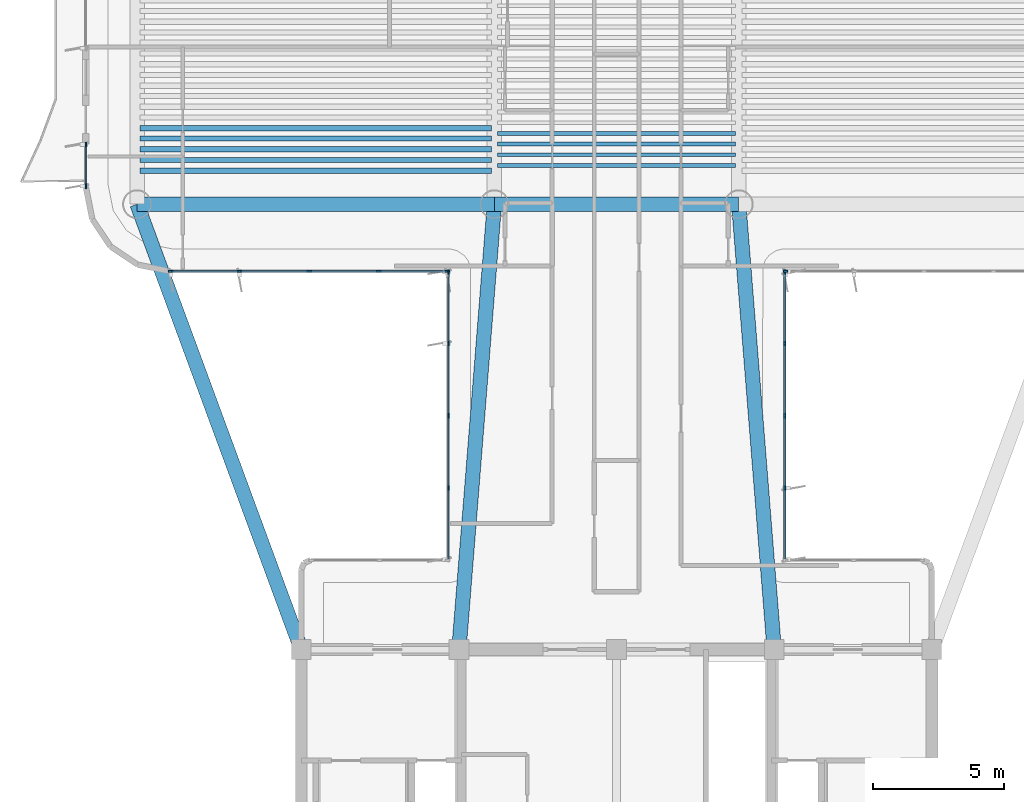
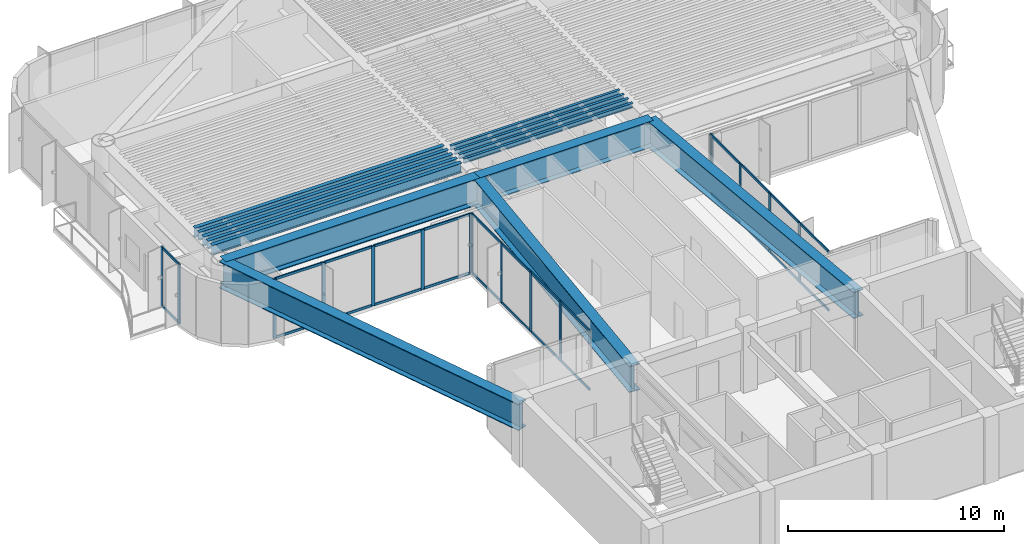
# One storey, part 3 of 13: 42 members, 14 beams, 5 elements without a shape of their own.
"""IFC4 building model written with IfcOpenShell, lengths in metres."""

from ifc_helpers import new_model, si_unit, direction, frame, origin, origin_2d, place, context, subcontext, project, spatial, rectangle, i_section, extrude, source, transform, mapped, material, layer, layer_set, material_profile, profile_set, type_object, element, aggregate, save


model = new_model("IFC4")

# Units and contexts
model_context = context("Model", 3, precision=1e-05, world=origin(), true_north=direction((0.0, 1.0)))
body_context = subcontext(model_context, "Body", "Model", "MODEL_VIEW")
ifc_project = project(units=[si_unit("LENGTHUNIT", "METRE"), si_unit("AREAUNIT", "SQUARE_METRE"), si_unit("VOLUMEUNIT", "CUBIC_METRE"), si_unit("PLANEANGLEUNIT", "RADIAN"), si_unit("MASSUNIT", "GRAM", prefix="KILO")], contexts=[model_context])

# Site, building, storey
site_placement = place(None, origin())
site = spatial("IfcSite", under=ifc_project, at=site_placement, CompositionType="ELEMENT")
building_placement = place(site_placement, origin())
building = spatial("IfcBuilding", under=site, at=building_placement, Name="Brelvock Crest Care Tower", CompositionType="ELEMENT")
storey_placement = place(building_placement, frame((0.0, 0.0, 209.340087890625)))
storey = spatial("IfcBuildingStorey", under=building, at=storey_placement, Name="L53", CompositionType="ELEMENT", Elevation=209.340087890625)

# Beams
ifc_material_1 = material(Name="Steel Grade 350", Category="steel")
ifc_material_profile_1 = material_profile(ifc_material_1, i_section(OverallWidth=0.14599609375, OverallDepth=0.256103515625, WebThickness=0.00634765625, FlangeThickness=0.010986328125, FilletRadius=0.0087890625, at=origin_2d()), Name="250UB37.3")
ifc_profile_set_1 = profile_set([ifc_material_profile_1], Name="Steel Grade 350")
beam_type_1 = type_object("IfcBeamType", Name="BM-J3", PredefinedType="JOIST", material=ifc_profile_set_1)
shared_shape_1 = source(origin(), body_context, "Body", "SweptSolid", [
    extrude(i_section(OverallWidth=0.14599609375, OverallDepth=0.256103515625, WebThickness=0.00634765625, FlangeThickness=0.010986328125, FilletRadius=0.0087890625, at=origin_2d()), origin(), (0.0, 0.0, 1.0), 9.06982421875),
])
for number, where, z_axis, x_axis, name in (
    (1, (31.465087890625, 36.42919921875, 3.243896484375), (1.0, 0.0, 0.0), (0.0, 1.0, 0.0), "BM-JH-L53-3"),
    (2, (31.465087890625, 36.834228515625, 3.243896484375), (1.0, 0.0, 0.0), (0.0, 1.0, 0.0), "BM-JH-L53-4"),
    (3, (31.465087890625, 37.239501953125, 3.243896484375), (1.0, 0.0, 0.0), (0.0, 1.0, 0.0), "BM-JH-L53-5"),
    (4, (31.465087890625, 37.64453125, 3.243896484375), (1.0, 0.0, 0.0), (0.0, 1.0, 0.0), "BM-JH-L53-6"),
):
    element("IfcBeam", number, at=place(storey_placement, frame(where, z_axis=z_axis, x_axis=x_axis)), inside=storey, type_object=beam_type_1, Name=name, PredefinedType="JOIST", context=body_context, shape_type="MappedRepresentation", body=[
        mapped(shared_shape_1, transform((0.0, 0.0, 0.0), x_axis=(1.0, 0.0, 0.0), y_axis=(0.0, 1.0, 0.0), z_axis=(0.0, 0.0, 1.0), scale=1.0)),
    ])
ifc_material_profile_2 = material_profile(ifc_material_1, i_section(OverallWidth=0.550048828125, OverallDepth=1.5, WebThickness=0.02392578125, FlangeThickness=0.044921875, at=origin_2d()), Name="1500TG580")
ifc_profile_set_2 = profile_set([ifc_material_profile_2], Name="Steel Grade 350")
beam_type_2 = type_object("IfcBeamType", Name="BM-TG2", PredefinedType="USERDEFINED", material=ifc_profile_set_2)
shared_shape_2 = source(origin(), body_context, "Body", "SweptSolid", [
    extrude(i_section(OverallWidth=0.550048828125, OverallDepth=1.5, WebThickness=0.02392578125, FlangeThickness=0.044921875, at=origin_2d()), origin(), (0.0, 0.0, 1.0), 9.2998046875),
])
beam_1_placement = place(storey_placement, frame((31.35009765625, 34.949951171875, 2.621826171875), z_axis=(1.0, 0.0, 0.0), x_axis=(0.0, 1.0, 0.0)))
element("IfcBeam", 5, at=beam_1_placement, inside=storey, type_object=beam_type_2, Name="BM-TWR-L53-05", ObjectType="GIRDER", PredefinedType="USERDEFINED", context=body_context, shape_type="MappedRepresentation", body=[
    mapped(shared_shape_2, transform((0.0, 0.0, 0.0), x_axis=(1.0, 0.0, 0.0), y_axis=(0.0, 1.0, 0.0), z_axis=(0.0, 0.0, 1.0), scale=1.0)),
])
ifc_material_profile_3 = material_profile(ifc_material_1, i_section(OverallWidth=0.208984375, OverallDepth=0.532958984375, WebThickness=0.01025390625, FlangeThickness=0.015625, FilletRadius=0.013916015625, at=origin_2d()), Name="530UB92.4")
ifc_profile_set_3 = profile_set([ifc_material_profile_3], Name="Steel Grade 350")
beam_type_3 = type_object("IfcBeamType", Name="BM-G2", PredefinedType="BEAM", material=ifc_profile_set_3)
shared_shape_3 = source(origin(), body_context, "Body", "SweptSolid", [
    extrude(i_section(OverallWidth=0.208984375, OverallDepth=0.532958984375, WebThickness=0.01025390625, FlangeThickness=0.015625, FilletRadius=0.013916015625, at=origin_2d()), origin(), (0.0, 0.0, 1.0), 13.3701171875),
])
for number, where, z_axis, x_axis, name in (
    (6, (17.864990234375, 36.2265625, 3.10546875), (1.0, 0.0, 0.0), (0.0, 1.0, 0.0), "BM-JW-L53-3"),
    (7, (17.864990234375, 37.036865234375, 3.10546875), (1.0, 0.0, 0.0), (0.0, 1.0, 0.0), "BM-JW-L53-5"),
    (8, (17.864990234375, 37.84716796875, 3.10546875), (1.0, 0.0, 0.0), (0.0, 1.0, 0.0), "BM-JW-L53-7"),
):
    element("IfcBeam", number, at=place(storey_placement, frame(where, z_axis=z_axis, x_axis=x_axis)), inside=storey, type_object=beam_type_3, Name=name, PredefinedType="BEAM", context=body_context, shape_type="MappedRepresentation", body=[
        mapped(shared_shape_3, transform((0.0, 0.0, 0.0), x_axis=(1.0, 0.0, 0.0), y_axis=(0.0, 1.0, 0.0), z_axis=(0.0, 0.0, 1.0), scale=1.0)),
    ])
ifc_material_profile_4 = material_profile(ifc_material_1, i_section(OverallWidth=0.19091796875, OverallDepth=0.4599609375, WebThickness=0.010009765625, FlangeThickness=0.01611328125, FilletRadius=0.011474609375, at=origin_2d()), Name="460UB82.1")
ifc_profile_set_4 = profile_set([ifc_material_profile_4], Name="Steel Grade 350")
beam_type_4 = type_object("IfcBeamType", Name="BM-G3", PredefinedType="BEAM", material=ifc_profile_set_4)
shared_shape_4 = source(origin(), body_context, "Body", "SweptSolid", [
    extrude(i_section(OverallWidth=0.19091796875, OverallDepth=0.4599609375, WebThickness=0.010009765625, FlangeThickness=0.01611328125, FilletRadius=0.011474609375, at=origin_2d()), origin(), (0.0, 0.0, 1.0), 13.3701171875),
])
for number, where, z_axis, x_axis, name in (
    (9, (17.864990234375, 36.631591796875, 3.141845703125), (1.0, 0.0, 0.0), (0.0, 1.0, 0.0), "BM-JW-L53-4"),
    (10, (17.864990234375, 37.44189453125, 3.141845703125), (1.0, 0.0, 0.0), (0.0, 1.0, 0.0), "BM-JW-L53-6"),
):
    element("IfcBeam", number, at=place(storey_placement, frame(where, z_axis=z_axis, x_axis=x_axis)), inside=storey, type_object=beam_type_4, Name=name, PredefinedType="BEAM", context=body_context, shape_type="MappedRepresentation", body=[
        mapped(shared_shape_4, transform((0.0, 0.0, 0.0), x_axis=(1.0, 0.0, 0.0), y_axis=(0.0, 1.0, 0.0), z_axis=(0.0, 0.0, 1.0), scale=1.0)),
    ])
shared_shape_5 = source(origin(), body_context, "Body", "SweptSolid", [
    extrude(i_section(OverallWidth=0.550048828125, OverallDepth=1.5, WebThickness=0.02392578125, FlangeThickness=0.044921875, at=origin_2d()), origin(), (0.0, 0.0, 1.0), 13.60009765625),
])
beam_2_placement = place(storey_placement, frame((17.75, 34.949951171875, 2.621826171875), z_axis=(1.0, 0.0, 0.0), x_axis=(0.0, 1.0, 0.0)))
element("IfcBeam", 11, at=beam_2_placement, inside=storey, type_object=beam_type_2, Name="BM-TWR-L53-03", ObjectType="GIRDER", PredefinedType="USERDEFINED", context=body_context, shape_type="MappedRepresentation", body=[
    mapped(shared_shape_5, transform((0.0, 0.0, 0.0), x_axis=(1.0, 0.0, 0.0), y_axis=(0.0, 1.0, 0.0), z_axis=(0.0, 0.0, 1.0), scale=1.0)),
])
shared_shape_6 = source(origin(), body_context, "Body", "SweptSolid", [
    extrude(i_section(OverallWidth=0.550048828125, OverallDepth=1.5, WebThickness=0.02392578125, FlangeThickness=0.044921875, at=origin_2d()), origin(), (0.0, 0.0, 1.0), 17.003662109375),
])
for number, where, z_axis, x_axis, name in (
    (12, (30.0, 18.0, 2.621826171875), (0.079400530776, 0.996842793881, 0.0), (-0.996842793881, 0.079400530776, 0.0), "BM-THRW-L53"),
    (13, (42.0, 18.0, 2.621826171875), (-0.079400530776, 0.996842793881, 0.0), (-0.996842793881, -0.079400530776, 0.0), "BM-THRE-L53"),
):
    element("IfcBeam", number, at=place(storey_placement, frame(where, z_axis=z_axis, x_axis=x_axis)), inside=storey, type_object=beam_type_2, Name=name, ObjectType="GIRDER", PredefinedType="USERDEFINED", context=body_context, shape_type="MappedRepresentation", body=[
        mapped(shared_shape_6, transform((0.0, 0.0, 0.0), x_axis=(1.0, 0.0, 0.0), y_axis=(0.0, 1.0, 0.0), z_axis=(0.0, 0.0, 1.0), scale=1.0)),
    ])
shared_shape_7 = source(origin(), body_context, "Body", "SweptSolid", [
    extrude(i_section(OverallWidth=0.550048828125, OverallDepth=1.5, WebThickness=0.02392578125, FlangeThickness=0.044921875, at=origin_2d()), origin(), (0.0, 0.0, 1.0), 18.0654296875),
])
beam_3_placement = place(storey_placement, frame((24.0, 18.0, 2.621826171875), z_axis=(-0.345962741309, 0.938248251597, 0.0), x_axis=(-0.938248251597, -0.345962741309, 0.0)))
element("IfcBeam", 14, at=beam_3_placement, inside=storey, type_object=beam_type_2, Name="BM-THRO-W-L53", ObjectType="GIRDER", PredefinedType="USERDEFINED", context=body_context, shape_type="MappedRepresentation", body=[
    mapped(shared_shape_7, transform((0.0, 0.0, 0.0), x_axis=(1.0, 0.0, 0.0), y_axis=(0.0, 1.0, 0.0), z_axis=(0.0, 0.0, 1.0), scale=1.0)),
])

# Curtain wall, members
ifc_material_2 = material(Name="Dark Glass Double Glazed Low-E", Category="glass")
ifc_layer = layer(ifc_material_2, 0.22509765625, Name="CWS-4")
ifc_layer_set = layer_set([ifc_layer], Name="Dark Glass Double Glazed Low-E")
curtain_wall_type = type_object("IfcCurtainWallType", Name="CWS-4", PredefinedType="NOTDEFINED", material=ifc_layer_set)
curtain_wall_1_placement = place(storey_placement, origin())
curtain_wall_1 = element("IfcCurtainWall", 15, at=curtain_wall_1_placement, inside=storey, type_object=curtain_wall_type, Name="L53 Curtain Wall E11", PredefinedType="NOTDEFINED")
ifc_material_3 = material(Name="Aluminium 6063-T6", Category="aluminium")
ifc_material_profile_5 = material_profile(ifc_material_3, rectangle(XDim=0.06005859375, YDim=0.139892578125, at=origin_2d()), Name="ALU60x140")
ifc_profile_set_5 = profile_set([ifc_material_profile_5], Name="Aluminium 6063-T6")
member_type_1 = type_object("IfcMemberType", Name="CWT-2", PredefinedType="USERDEFINED", material=ifc_profile_set_5)
shared_shape_8 = source(origin(), body_context, "Body", "SweptSolid", [
    extrude(rectangle(XDim=0.06005859375, YDim=0.139892578125, at=origin_2d()), origin(), (0.0, 0.0, 1.0), 2.66015625),
])
member_1_placement = place(storey_placement, frame((29.60009765625, 21.4599609375, 0.030029296875), z_axis=(0.0, 1.0, 0.0), x_axis=(-1.0, 0.0, 0.0)))
member_1 = element("IfcMember", 16, at=member_1_placement, type_object=member_type_1, Name="CW-4 transom 1.1", ObjectType="TRANSOM", PredefinedType="USERDEFINED", context=body_context, shape_type="MappedRepresentation", body=[
    mapped(shared_shape_8, transform((0.0, 0.0, 0.0), x_axis=(1.0, 0.0, 0.0), y_axis=(0.0, 1.0, 0.0), z_axis=(0.0, 0.0, 1.0), scale=1.0)),
])
member_2_placement = place(storey_placement, frame((29.60009765625, 21.4599609375, 3.341796875), z_axis=(0.0, 1.0, 0.0), x_axis=(-1.0, 0.0, 0.0)))
member_2 = element("IfcMember", 17, at=member_2_placement, type_object=member_type_1, Name="CW-4 transom 1.2", ObjectType="TRANSOM", PredefinedType="USERDEFINED", context=body_context, shape_type="MappedRepresentation", body=[
    mapped(shared_shape_8, transform((0.0, 0.0, 0.0), x_axis=(1.0, 0.0, 0.0), y_axis=(0.0, 1.0, 0.0), z_axis=(0.0, 0.0, 1.0), scale=1.0)),
])
member_3_placement = place(storey_placement, frame((29.60009765625, 29.679931640625, 0.030029296875), z_axis=(0.0, 1.0, 0.0), x_axis=(-1.0, 0.0, 0.0)))
member_3 = element("IfcMember", 18, at=member_3_placement, type_object=member_type_1, Name="CW-4 transom 4.1", ObjectType="TRANSOM", PredefinedType="USERDEFINED", context=body_context, shape_type="MappedRepresentation", body=[
    mapped(shared_shape_8, transform((0.0, 0.0, 0.0), x_axis=(1.0, 0.0, 0.0), y_axis=(0.0, 1.0, 0.0), z_axis=(0.0, 0.0, 1.0), scale=1.0)),
])
member_4_placement = place(storey_placement, frame((29.60009765625, 29.679931640625, 3.341796875), z_axis=(0.0, 1.0, 0.0), x_axis=(-1.0, 0.0, 0.0)))
member_4 = element("IfcMember", 19, at=member_4_placement, type_object=member_type_1, Name="CW-4 transom 4.2", ObjectType="TRANSOM", PredefinedType="USERDEFINED", context=body_context, shape_type="MappedRepresentation", body=[
    mapped(shared_shape_8, transform((0.0, 0.0, 0.0), x_axis=(1.0, 0.0, 0.0), y_axis=(0.0, 1.0, 0.0), z_axis=(0.0, 0.0, 1.0), scale=1.0)),
])

curtain_wall_2_placement = place(storey_placement, origin())
curtain_wall_2 = element("IfcCurtainWall", 20, at=curtain_wall_2_placement, inside=storey, type_object=curtain_wall_type, Name="L53 Curtain Wall E45", PredefinedType="NOTDEFINED")
member_5_placement = place(storey_placement, frame((42.39990234375, 32.340087890625, 0.030029296875), z_axis=(0.0, -1.0, 0.0), x_axis=(1.0, 0.0, 0.0)))
member_5 = element("IfcMember", 21, at=member_5_placement, type_object=member_type_1, Name="CW-4 transom 1.1", ObjectType="TRANSOM", PredefinedType="USERDEFINED", context=body_context, shape_type="MappedRepresentation", body=[
    mapped(shared_shape_8, transform((0.0, 0.0, 0.0), x_axis=(1.0, 0.0, 0.0), y_axis=(0.0, 1.0, 0.0), z_axis=(0.0, 0.0, 1.0), scale=1.0)),
])
member_6_placement = place(storey_placement, frame((42.39990234375, 32.340087890625, 3.341796875), z_axis=(0.0, -1.0, 0.0), x_axis=(1.0, 0.0, 0.0)))
member_6 = element("IfcMember", 22, at=member_6_placement, type_object=member_type_1, Name="CW-4 transom 1.2", ObjectType="TRANSOM", PredefinedType="USERDEFINED", context=body_context, shape_type="MappedRepresentation", body=[
    mapped(shared_shape_8, transform((0.0, 0.0, 0.0), x_axis=(1.0, 0.0, 0.0), y_axis=(0.0, 1.0, 0.0), z_axis=(0.0, 0.0, 1.0), scale=1.0)),
])
member_7_placement = place(storey_placement, frame((42.39990234375, 24.1201171875, 0.030029296875), z_axis=(0.0, -1.0, 0.0), x_axis=(1.0, 0.0, 0.0)))
member_7 = element("IfcMember", 23, at=member_7_placement, type_object=member_type_1, Name="CW-4 transom 4.1", ObjectType="TRANSOM", PredefinedType="USERDEFINED", context=body_context, shape_type="MappedRepresentation", body=[
    mapped(shared_shape_8, transform((0.0, 0.0, 0.0), x_axis=(1.0, 0.0, 0.0), y_axis=(0.0, 1.0, 0.0), z_axis=(0.0, 0.0, 1.0), scale=1.0)),
])
member_8_placement = place(storey_placement, frame((42.39990234375, 24.1201171875, 3.341796875), z_axis=(0.0, -1.0, 0.0), x_axis=(1.0, 0.0, 0.0)))
member_8 = element("IfcMember", 24, at=member_8_placement, type_object=member_type_1, Name="CW-4 transom 4.2", ObjectType="TRANSOM", PredefinedType="USERDEFINED", context=body_context, shape_type="MappedRepresentation", body=[
    mapped(shared_shape_8, transform((0.0, 0.0, 0.0), x_axis=(1.0, 0.0, 0.0), y_axis=(0.0, 1.0, 0.0), z_axis=(0.0, 0.0, 1.0), scale=1.0)),
])

# Member
shared_shape_9 = source(origin(), body_context, "Body", "SweptSolid", [
    extrude(rectangle(XDim=0.06005859375, YDim=0.139892578125, at=origin_2d()), origin(), (0.0, 0.0, 1.0), 2.690185546875),
])
member_9_placement = place(storey_placement, frame((29.60009765625, 24.179931640625, 0.030029296875), z_axis=(0.0, 1.0, 0.0), x_axis=(-1.0, 0.0, 0.0)))
member_9 = element("IfcMember", 25, at=member_9_placement, type_object=member_type_1, Name="CW-4 transom 2.1", ObjectType="TRANSOM", PredefinedType="USERDEFINED", context=body_context, shape_type="MappedRepresentation", body=[
    mapped(shared_shape_9, transform((0.0, 0.0, 0.0), x_axis=(1.0, 0.0, 0.0), y_axis=(0.0, 1.0, 0.0), z_axis=(0.0, 0.0, 1.0), scale=1.0)),
])

member_10_placement = place(storey_placement, frame((29.60009765625, 24.179931640625, 3.341796875), z_axis=(0.0, 1.0, 0.0), x_axis=(-1.0, 0.0, 0.0)))
member_10 = element("IfcMember", 26, at=member_10_placement, type_object=member_type_1, Name="CW-4 transom 2.2", ObjectType="TRANSOM", PredefinedType="USERDEFINED", context=body_context, shape_type="MappedRepresentation", body=[
    mapped(shared_shape_9, transform((0.0, 0.0, 0.0), x_axis=(1.0, 0.0, 0.0), y_axis=(0.0, 1.0, 0.0), z_axis=(0.0, 0.0, 1.0), scale=1.0)),
])

member_11_placement = place(storey_placement, frame((29.60009765625, 26.929931640625, 0.030029296875), z_axis=(0.0, 1.0, 0.0), x_axis=(-1.0, 0.0, 0.0)))
member_11 = element("IfcMember", 27, at=member_11_placement, type_object=member_type_1, Name="CW-4 transom 3.1", ObjectType="TRANSOM", PredefinedType="USERDEFINED", context=body_context, shape_type="MappedRepresentation", body=[
    mapped(shared_shape_9, transform((0.0, 0.0, 0.0), x_axis=(1.0, 0.0, 0.0), y_axis=(0.0, 1.0, 0.0), z_axis=(0.0, 0.0, 1.0), scale=1.0)),
])

member_12_placement = place(storey_placement, frame((29.60009765625, 26.929931640625, 3.341796875), z_axis=(0.0, 1.0, 0.0), x_axis=(-1.0, 0.0, 0.0)))
member_12 = element("IfcMember", 28, at=member_12_placement, type_object=member_type_1, Name="CW-4 transom 3.2", ObjectType="TRANSOM", PredefinedType="USERDEFINED", context=body_context, shape_type="MappedRepresentation", body=[
    mapped(shared_shape_9, transform((0.0, 0.0, 0.0), x_axis=(1.0, 0.0, 0.0), y_axis=(0.0, 1.0, 0.0), z_axis=(0.0, 0.0, 1.0), scale=1.0)),
])

member_13_placement = place(storey_placement, frame((42.39990234375, 29.6201171875, 0.030029296875), z_axis=(0.0, -1.0, 0.0), x_axis=(1.0, 0.0, 0.0)))
member_13 = element("IfcMember", 29, at=member_13_placement, type_object=member_type_1, Name="CW-4 transom 2.1", ObjectType="TRANSOM", PredefinedType="USERDEFINED", context=body_context, shape_type="MappedRepresentation", body=[
    mapped(shared_shape_9, transform((0.0, 0.0, 0.0), x_axis=(1.0, 0.0, 0.0), y_axis=(0.0, 1.0, 0.0), z_axis=(0.0, 0.0, 1.0), scale=1.0)),
])

member_14_placement = place(storey_placement, frame((42.39990234375, 29.6201171875, 3.341796875), z_axis=(0.0, -1.0, 0.0), x_axis=(1.0, 0.0, 0.0)))
member_14 = element("IfcMember", 30, at=member_14_placement, type_object=member_type_1, Name="CW-4 transom 2.2", ObjectType="TRANSOM", PredefinedType="USERDEFINED", context=body_context, shape_type="MappedRepresentation", body=[
    mapped(shared_shape_9, transform((0.0, 0.0, 0.0), x_axis=(1.0, 0.0, 0.0), y_axis=(0.0, 1.0, 0.0), z_axis=(0.0, 0.0, 1.0), scale=1.0)),
])

member_15_placement = place(storey_placement, frame((42.39990234375, 26.8701171875, 0.030029296875), z_axis=(0.0, -1.0, 0.0), x_axis=(1.0, 0.0, 0.0)))
member_15 = element("IfcMember", 31, at=member_15_placement, type_object=member_type_1, Name="CW-4 transom 3.1", ObjectType="TRANSOM", PredefinedType="USERDEFINED", context=body_context, shape_type="MappedRepresentation", body=[
    mapped(shared_shape_9, transform((0.0, 0.0, 0.0), x_axis=(1.0, 0.0, 0.0), y_axis=(0.0, 1.0, 0.0), z_axis=(0.0, 0.0, 1.0), scale=1.0)),
])

member_16_placement = place(storey_placement, frame((42.39990234375, 26.8701171875, 3.341796875), z_axis=(0.0, -1.0, 0.0), x_axis=(1.0, 0.0, 0.0)))
member_16 = element("IfcMember", 32, at=member_16_placement, type_object=member_type_1, Name="CW-4 transom 3.2", ObjectType="TRANSOM", PredefinedType="USERDEFINED", context=body_context, shape_type="MappedRepresentation", body=[
    mapped(shared_shape_9, transform((0.0, 0.0, 0.0), x_axis=(1.0, 0.0, 0.0), y_axis=(0.0, 1.0, 0.0), z_axis=(0.0, 0.0, 1.0), scale=1.0)),
])

# Curtain wall, members
curtain_wall_3_placement = place(storey_placement, origin())
curtain_wall_3 = element("IfcCurtainWall", 33, at=curtain_wall_3_placement, inside=storey, type_object=curtain_wall_type, Name="L53 Curtain Wall E12", PredefinedType="NOTDEFINED")
shared_shape_10 = source(origin(), body_context, "Body", "SweptSolid", [
    extrude(rectangle(XDim=0.06005859375, YDim=0.139892578125, at=origin_2d()), origin(), (0.0, 0.0, 1.0), 2.56005859375),
])
member_17_placement = place(storey_placement, frame((29.5400390625, 32.39990234375, 0.030029296875), z_axis=(-1.0, 0.0, 0.0), x_axis=(0.0, -1.0, 0.0)))
member_17 = element("IfcMember", 34, at=member_17_placement, type_object=member_type_1, Name="CW-4 transom 1.1", ObjectType="TRANSOM", PredefinedType="USERDEFINED", context=body_context, shape_type="MappedRepresentation", body=[
    mapped(shared_shape_10, transform((0.0, 0.0, 0.0), x_axis=(1.0, 0.0, 0.0), y_axis=(0.0, 1.0, 0.0), z_axis=(0.0, 0.0, 1.0), scale=1.0)),
])
member_18_placement = place(storey_placement, frame((29.5400390625, 32.39990234375, 3.341796875), z_axis=(-1.0, 0.0, 0.0), x_axis=(0.0, -1.0, 0.0)))
member_18 = element("IfcMember", 35, at=member_18_placement, type_object=member_type_1, Name="CW-4 transom 1.2", ObjectType="TRANSOM", PredefinedType="USERDEFINED", context=body_context, shape_type="MappedRepresentation", body=[
    mapped(shared_shape_10, transform((0.0, 0.0, 0.0), x_axis=(1.0, 0.0, 0.0), y_axis=(0.0, 1.0, 0.0), z_axis=(0.0, 0.0, 1.0), scale=1.0)),
])
member_19_placement = place(storey_placement, frame((21.6201171875, 32.39990234375, 0.030029296875), z_axis=(-1.0, 0.0, 0.0), x_axis=(0.0, -1.0, 0.0)))
member_19 = element("IfcMember", 36, at=member_19_placement, type_object=member_type_1, Name="CW-4 transom 4.1", ObjectType="TRANSOM", PredefinedType="USERDEFINED", context=body_context, shape_type="MappedRepresentation", body=[
    mapped(shared_shape_10, transform((0.0, 0.0, 0.0), x_axis=(1.0, 0.0, 0.0), y_axis=(0.0, 1.0, 0.0), z_axis=(0.0, 0.0, 1.0), scale=1.0)),
])
member_20_placement = place(storey_placement, frame((21.6201171875, 32.39990234375, 3.341796875), z_axis=(-1.0, 0.0, 0.0), x_axis=(0.0, -1.0, 0.0)))
member_20 = element("IfcMember", 37, at=member_20_placement, type_object=member_type_1, Name="CW-4 transom 4.2", ObjectType="TRANSOM", PredefinedType="USERDEFINED", context=body_context, shape_type="MappedRepresentation", body=[
    mapped(shared_shape_10, transform((0.0, 0.0, 0.0), x_axis=(1.0, 0.0, 0.0), y_axis=(0.0, 1.0, 0.0), z_axis=(0.0, 0.0, 1.0), scale=1.0)),
])
shared_shape_11 = source(origin(), body_context, "Body", "SweptSolid", [
    extrude(rectangle(XDim=0.06005859375, YDim=0.139892578125, at=origin_2d()), origin(), (0.0, 0.0, 1.0), 2.58984375),
])
member_21_placement = place(storey_placement, frame((26.919921875, 32.39990234375, 0.030029296875), z_axis=(-1.0, 0.0, 0.0), x_axis=(0.0, -1.0, 0.0)))
member_21 = element("IfcMember", 38, at=member_21_placement, type_object=member_type_1, Name="CW-4 transom 2.1", ObjectType="TRANSOM", PredefinedType="USERDEFINED", context=body_context, shape_type="MappedRepresentation", body=[
    mapped(shared_shape_11, transform((0.0, 0.0, 0.0), x_axis=(1.0, 0.0, 0.0), y_axis=(0.0, 1.0, 0.0), z_axis=(0.0, 0.0, 1.0), scale=1.0)),
])
member_22_placement = place(storey_placement, frame((26.919921875, 32.39990234375, 3.341796875), z_axis=(-1.0, 0.0, 0.0), x_axis=(0.0, -1.0, 0.0)))
member_22 = element("IfcMember", 39, at=member_22_placement, type_object=member_type_1, Name="CW-4 transom 2.2", ObjectType="TRANSOM", PredefinedType="USERDEFINED", context=body_context, shape_type="MappedRepresentation", body=[
    mapped(shared_shape_11, transform((0.0, 0.0, 0.0), x_axis=(1.0, 0.0, 0.0), y_axis=(0.0, 1.0, 0.0), z_axis=(0.0, 0.0, 1.0), scale=1.0)),
])
shared_shape_12 = source(origin(), body_context, "Body", "SweptSolid", [
    extrude(rectangle(XDim=0.06005859375, YDim=0.139892578125, at=origin_2d()), origin(), (0.0, 0.0, 1.0), 2.590087890625),
])
member_23_placement = place(storey_placement, frame((24.27001953125, 32.39990234375, 0.030029296875), z_axis=(-1.0, 0.0, 0.0), x_axis=(0.0, -1.0, 0.0)))
member_23 = element("IfcMember", 40, at=member_23_placement, type_object=member_type_1, Name="CW-4 transom 3.1", ObjectType="TRANSOM", PredefinedType="USERDEFINED", context=body_context, shape_type="MappedRepresentation", body=[
    mapped(shared_shape_12, transform((0.0, 0.0, 0.0), x_axis=(1.0, 0.0, 0.0), y_axis=(0.0, 1.0, 0.0), z_axis=(0.0, 0.0, 1.0), scale=1.0)),
])
member_24_placement = place(storey_placement, frame((24.27001953125, 32.39990234375, 3.341796875), z_axis=(-1.0, 0.0, 0.0), x_axis=(0.0, -1.0, 0.0)))
member_24 = element("IfcMember", 41, at=member_24_placement, type_object=member_type_1, Name="CW-4 transom 3.2", ObjectType="TRANSOM", PredefinedType="USERDEFINED", context=body_context, shape_type="MappedRepresentation", body=[
    mapped(shared_shape_12, transform((0.0, 0.0, 0.0), x_axis=(1.0, 0.0, 0.0), y_axis=(0.0, 1.0, 0.0), z_axis=(0.0, 0.0, 1.0), scale=1.0)),
])

curtain_wall_4_placement = place(storey_placement, origin())
curtain_wall_4 = element("IfcCurtainWall", 42, at=curtain_wall_4_placement, inside=storey, type_object=curtain_wall_type, Name="L53 Curtain Wall E17A", PredefinedType="NOTDEFINED")
shared_shape_13 = source(origin(), body_context, "Body", "SweptSolid", [
    extrude(rectangle(XDim=0.06005859375, YDim=0.139892578125, at=origin_2d()), origin(), (0.0, 0.0, 1.0), 1.530029296875),
])
member_25_placement = place(storey_placement, frame((15.800048828125, 35.659912109375, 0.030029296875), z_axis=(0.0, 1.0, 0.0), x_axis=(-1.0, 0.0, 0.0)))
member_25 = element("IfcMember", 43, at=member_25_placement, type_object=member_type_1, Name="CW-4 transom 1.1", ObjectType="TRANSOM", PredefinedType="USERDEFINED", context=body_context, shape_type="MappedRepresentation", body=[
    mapped(shared_shape_13, transform((0.0, 0.0, 0.0), x_axis=(1.0, 0.0, 0.0), y_axis=(0.0, 1.0, 0.0), z_axis=(0.0, 0.0, 1.0), scale=1.0)),
])
member_26_placement = place(storey_placement, frame((15.800048828125, 35.659912109375, 3.341796875), z_axis=(0.0, 1.0, 0.0), x_axis=(-1.0, 0.0, 0.0)))
member_26 = element("IfcMember", 44, at=member_26_placement, type_object=member_type_1, Name="CW-4 transom 1.2", ObjectType="TRANSOM", PredefinedType="USERDEFINED", context=body_context, shape_type="MappedRepresentation", body=[
    mapped(shared_shape_13, transform((0.0, 0.0, 0.0), x_axis=(1.0, 0.0, 0.0), y_axis=(0.0, 1.0, 0.0), z_axis=(0.0, 0.0, 1.0), scale=1.0)),
])

# Member
ifc_material_profile_6 = material_profile(ifc_material_3, rectangle(XDim=0.06005859375, YDim=0.179931640625, at=origin_2d()), Name="ALU60x180")
ifc_profile_set_6 = profile_set([ifc_material_profile_6], Name="Aluminium 6063-T6")
member_type_2 = type_object("IfcMemberType", Name="CWM-2", PredefinedType="MULLION", material=ifc_profile_set_6)
shared_shape_14 = source(origin(), body_context, "Body", "SweptSolid", [
    extrude(rectangle(XDim=0.06005859375, YDim=0.179931640625, at=origin_2d()), origin(), (0.0, 0.0, 1.0), 3.371826171875),
])
member_27_placement = place(storey_placement, frame((29.60009765625, 24.14990234375, 0.0), z_axis=(0.0, 0.0, 1.0), x_axis=(-1.0, 0.0, 0.0)))
member_27 = element("IfcMember", 45, at=member_27_placement, type_object=member_type_2, Name="CW-4 mullion 2", PredefinedType="MULLION", context=body_context, shape_type="MappedRepresentation", body=[
    mapped(shared_shape_14, transform((0.0, 0.0, 0.0), x_axis=(1.0, 0.0, 0.0), y_axis=(0.0, 1.0, 0.0), z_axis=(0.0, 0.0, 1.0), scale=1.0)),
])

member_28_placement = place(storey_placement, frame((29.60009765625, 26.89990234375, 0.0), z_axis=(0.0, 0.0, 1.0), x_axis=(-1.0, 0.0, 0.0)))
member_28 = element("IfcMember", 46, at=member_28_placement, type_object=member_type_2, Name="CW-4 mullion 3", PredefinedType="MULLION", context=body_context, shape_type="MappedRepresentation", body=[
    mapped(shared_shape_14, transform((0.0, 0.0, 0.0), x_axis=(1.0, 0.0, 0.0), y_axis=(0.0, 1.0, 0.0), z_axis=(0.0, 0.0, 1.0), scale=1.0)),
])

member_29_placement = place(storey_placement, frame((29.60009765625, 29.64990234375, 0.0), z_axis=(0.0, 0.0, 1.0), x_axis=(-1.0, 0.0, 0.0)))
member_29 = element("IfcMember", 47, at=member_29_placement, type_object=member_type_2, Name="CW-4 mullion 4", PredefinedType="MULLION", context=body_context, shape_type="MappedRepresentation", body=[
    mapped(shared_shape_14, transform((0.0, 0.0, 0.0), x_axis=(1.0, 0.0, 0.0), y_axis=(0.0, 1.0, 0.0), z_axis=(0.0, 0.0, 1.0), scale=1.0)),
])

member_30_placement = place(storey_placement, frame((29.60009765625, 32.3701171875, 0.0), z_axis=(0.0, 0.0, 1.0), x_axis=(-1.0, 0.0, 0.0)))
member_30 = element("IfcMember", 48, at=member_30_placement, type_object=member_type_2, Name="CW-4 mullion 5", PredefinedType="MULLION", context=body_context, shape_type="MappedRepresentation", body=[
    mapped(shared_shape_14, transform((0.0, 0.0, 0.0), x_axis=(1.0, 0.0, 0.0), y_axis=(0.0, 1.0, 0.0), z_axis=(0.0, 0.0, 1.0), scale=1.0)),
])

aggregate(curtain_wall_1, [member_27, member_28, member_29, member_30, member_1, member_2, member_9, member_10, member_11, member_12, member_3, member_4])

member_31_placement = place(storey_placement, frame((29.570068359375, 32.39990234375, 0.0), z_axis=(0.0, 0.0, 1.0), x_axis=(0.0, -1.0, 0.0)))
member_31 = element("IfcMember", 49, at=member_31_placement, type_object=member_type_2, Name="CW-4 mullion 1", PredefinedType="MULLION", context=body_context, shape_type="MappedRepresentation", body=[
    mapped(shared_shape_14, transform((0.0, 0.0, 0.0), x_axis=(1.0, 0.0, 0.0), y_axis=(0.0, 1.0, 0.0), z_axis=(0.0, 0.0, 1.0), scale=1.0)),
])

member_32_placement = place(storey_placement, frame((26.949951171875, 32.39990234375, 0.0), z_axis=(0.0, 0.0, 1.0), x_axis=(0.0, -1.0, 0.0)))
member_32 = element("IfcMember", 50, at=member_32_placement, type_object=member_type_2, Name="CW-4 mullion 2", PredefinedType="MULLION", context=body_context, shape_type="MappedRepresentation", body=[
    mapped(shared_shape_14, transform((0.0, 0.0, 0.0), x_axis=(1.0, 0.0, 0.0), y_axis=(0.0, 1.0, 0.0), z_axis=(0.0, 0.0, 1.0), scale=1.0)),
])

member_33_placement = place(storey_placement, frame((24.300048828125, 32.39990234375, 0.0), z_axis=(0.0, 0.0, 1.0), x_axis=(0.0, -1.0, 0.0)))
member_33 = element("IfcMember", 51, at=member_33_placement, type_object=member_type_2, Name="CW-4 mullion 3", PredefinedType="MULLION", context=body_context, shape_type="MappedRepresentation", body=[
    mapped(shared_shape_14, transform((0.0, 0.0, 0.0), x_axis=(1.0, 0.0, 0.0), y_axis=(0.0, 1.0, 0.0), z_axis=(0.0, 0.0, 1.0), scale=1.0)),
])

member_34_placement = place(storey_placement, frame((21.64990234375, 32.39990234375, 0.0), z_axis=(0.0, 0.0, 1.0), x_axis=(0.0, -1.0, 0.0)))
member_34 = element("IfcMember", 52, at=member_34_placement, type_object=member_type_2, Name="CW-4 mullion 4", PredefinedType="MULLION", context=body_context, shape_type="MappedRepresentation", body=[
    mapped(shared_shape_14, transform((0.0, 0.0, 0.0), x_axis=(1.0, 0.0, 0.0), y_axis=(0.0, 1.0, 0.0), z_axis=(0.0, 0.0, 1.0), scale=1.0)),
])

member_35_placement = place(storey_placement, frame((19.030029296875, 32.39990234375, 0.0), z_axis=(0.0, 0.0, 1.0), x_axis=(0.0, -1.0, 0.0)))
member_35 = element("IfcMember", 53, at=member_35_placement, type_object=member_type_2, Name="CW-4 mullion 5", PredefinedType="MULLION", context=body_context, shape_type="MappedRepresentation", body=[
    mapped(shared_shape_14, transform((0.0, 0.0, 0.0), x_axis=(1.0, 0.0, 0.0), y_axis=(0.0, 1.0, 0.0), z_axis=(0.0, 0.0, 1.0), scale=1.0)),
])

aggregate(curtain_wall_3, [member_31, member_32, member_33, member_34, member_35, member_17, member_18, member_21, member_22, member_23, member_24, member_19, member_20])

member_36_placement = place(storey_placement, frame((15.800048828125, 35.6298828125, 0.0), z_axis=(0.0, 0.0, 1.0), x_axis=(-1.0, 0.0, 0.0)))
member_36 = element("IfcMember", 54, at=member_36_placement, type_object=member_type_2, Name="CW-4 mullion 1", PredefinedType="MULLION", context=body_context, shape_type="MappedRepresentation", body=[
    mapped(shared_shape_14, transform((0.0, 0.0, 0.0), x_axis=(1.0, 0.0, 0.0), y_axis=(0.0, 1.0, 0.0), z_axis=(0.0, 0.0, 1.0), scale=1.0)),
])

member_37_placement = place(storey_placement, frame((15.800048828125, 37.219970703125, 0.0), z_axis=(0.0, 0.0, 1.0), x_axis=(-1.0, 0.0, 0.0)))
member_37 = element("IfcMember", 55, at=member_37_placement, type_object=member_type_2, Name="CW-4 mullion 2", PredefinedType="MULLION", context=body_context, shape_type="MappedRepresentation", body=[
    mapped(shared_shape_14, transform((0.0, 0.0, 0.0), x_axis=(1.0, 0.0, 0.0), y_axis=(0.0, 1.0, 0.0), z_axis=(0.0, 0.0, 1.0), scale=1.0)),
])

aggregate(curtain_wall_4, [member_36, member_37, member_25, member_26])

# Curtain wall, member
curtain_wall_5_placement = place(storey_placement, origin())
curtain_wall_5 = element("IfcCurtainWall", 56, at=curtain_wall_5_placement, inside=storey, type_object=curtain_wall_type, Name="L53 Curtain Wall E44", PredefinedType="NOTDEFINED")
member_38_placement = place(storey_placement, frame((42.429931640625, 32.39990234375, 0.0), z_axis=(0.0, 0.0, 1.0), x_axis=(0.0, -1.0, 0.0)))
member_38 = element("IfcMember", 57, at=member_38_placement, type_object=member_type_2, Name="CW-4 mullion 5", PredefinedType="MULLION", context=body_context, shape_type="MappedRepresentation", body=[
    mapped(shared_shape_14, transform((0.0, 0.0, 0.0), x_axis=(1.0, 0.0, 0.0), y_axis=(0.0, 1.0, 0.0), z_axis=(0.0, 0.0, 1.0), scale=1.0)),
])
aggregate(curtain_wall_5, [member_38])

# Member
member_39_placement = place(storey_placement, frame((42.39990234375, 32.3701171875, 0.0), z_axis=(0.0, 0.0, 1.0), x_axis=(1.0, 0.0, 0.0)))
member_39 = element("IfcMember", 58, at=member_39_placement, type_object=member_type_2, Name="CW-4 mullion 1", PredefinedType="MULLION", context=body_context, shape_type="MappedRepresentation", body=[
    mapped(shared_shape_14, transform((0.0, 0.0, 0.0), x_axis=(1.0, 0.0, 0.0), y_axis=(0.0, 1.0, 0.0), z_axis=(0.0, 0.0, 1.0), scale=1.0)),
])

member_40_placement = place(storey_placement, frame((42.39990234375, 29.64990234375, 0.0), z_axis=(0.0, 0.0, 1.0), x_axis=(1.0, 0.0, 0.0)))
member_40 = element("IfcMember", 59, at=member_40_placement, type_object=member_type_2, Name="CW-4 mullion 2", PredefinedType="MULLION", context=body_context, shape_type="MappedRepresentation", body=[
    mapped(shared_shape_14, transform((0.0, 0.0, 0.0), x_axis=(1.0, 0.0, 0.0), y_axis=(0.0, 1.0, 0.0), z_axis=(0.0, 0.0, 1.0), scale=1.0)),
])

member_41_placement = place(storey_placement, frame((42.39990234375, 26.89990234375, 0.0), z_axis=(0.0, 0.0, 1.0), x_axis=(1.0, 0.0, 0.0)))
member_41 = element("IfcMember", 60, at=member_41_placement, type_object=member_type_2, Name="CW-4 mullion 3", PredefinedType="MULLION", context=body_context, shape_type="MappedRepresentation", body=[
    mapped(shared_shape_14, transform((0.0, 0.0, 0.0), x_axis=(1.0, 0.0, 0.0), y_axis=(0.0, 1.0, 0.0), z_axis=(0.0, 0.0, 1.0), scale=1.0)),
])

member_42_placement = place(storey_placement, frame((42.39990234375, 24.14990234375, 0.0), z_axis=(0.0, 0.0, 1.0), x_axis=(1.0, 0.0, 0.0)))
member_42 = element("IfcMember", 61, at=member_42_placement, type_object=member_type_2, Name="CW-4 mullion 4", PredefinedType="MULLION", context=body_context, shape_type="MappedRepresentation", body=[
    mapped(shared_shape_14, transform((0.0, 0.0, 0.0), x_axis=(1.0, 0.0, 0.0), y_axis=(0.0, 1.0, 0.0), z_axis=(0.0, 0.0, 1.0), scale=1.0)),
])

aggregate(curtain_wall_2, [member_39, member_40, member_41, member_42, member_5, member_6, member_13, member_14, member_15, member_16, member_7, member_8])

save(model, "model.ifc")
